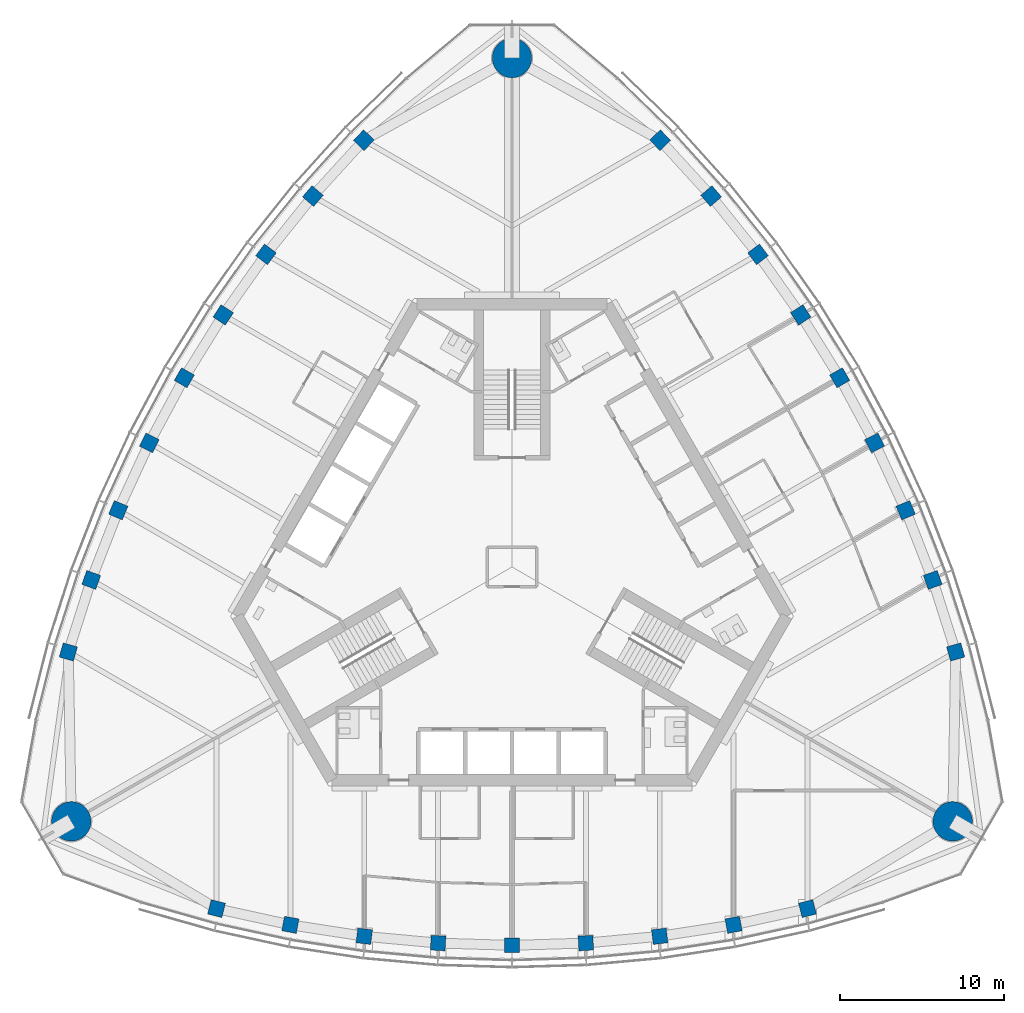
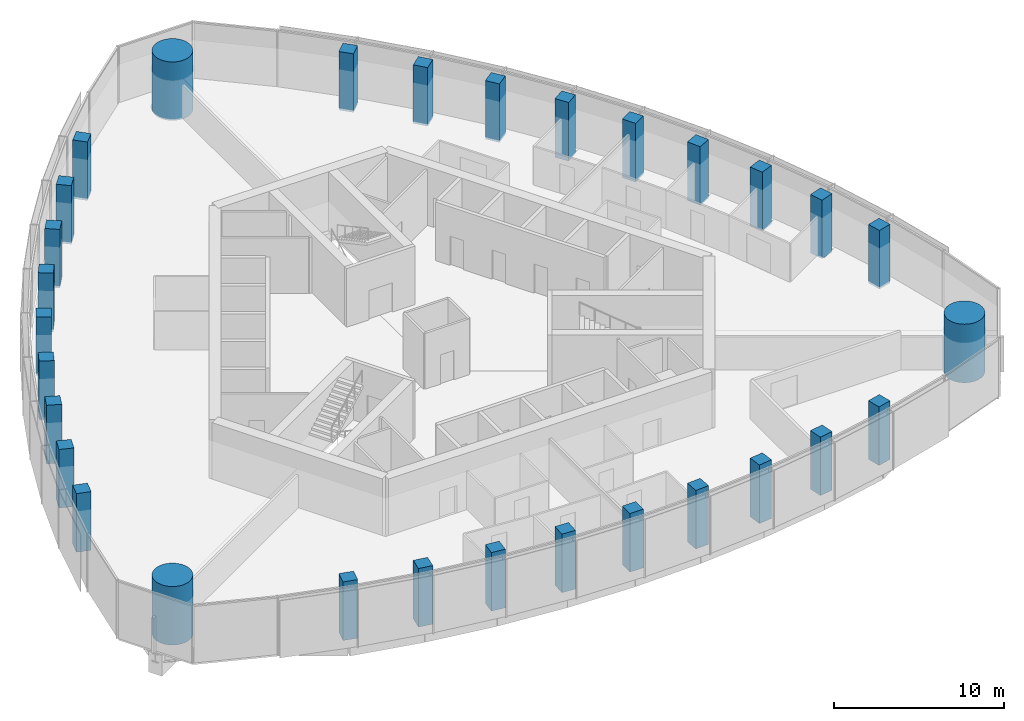
# One storey, part 1 of 16: 30 columns.
"""IFC4 building model written with IfcOpenShell, lengths in metres."""

from ifc_helpers import new_model, si_unit, direction, frame, origin, origin_2d, place, context, subcontext, project, spatial, rectangle, circle, extrude, material, material_profile, profile_set, type_object, element, save


model = new_model("IFC4")

# Units and contexts
model_context = context("Model", 3, precision=1e-05, world=origin(), true_north=direction((0.0, 1.0)))
body_context = subcontext(model_context, "Body", "Model", "MODEL_VIEW")
ifc_project = project(units=[si_unit("LENGTHUNIT", "METRE"), si_unit("AREAUNIT", "SQUARE_METRE"), si_unit("VOLUMEUNIT", "CUBIC_METRE"), si_unit("PLANEANGLEUNIT", "RADIAN"), si_unit("MASSUNIT", "GRAM", prefix="KILO")], contexts=[model_context])

# Site, building, storey
site_placement = place(None, origin())
site = spatial("IfcSite", under=ifc_project, at=site_placement, CompositionType="ELEMENT")
building_placement = place(site_placement, origin())
building = spatial("IfcBuilding", under=site, at=building_placement, Name="Trefoil Bronze Tower", CompositionType="ELEMENT")
storey_placement = place(building_placement, frame((0.0, 0.0, 297.300048828125)))
storey = spatial("IfcBuildingStorey", under=building, at=storey_placement, Name="L68", CompositionType="ELEMENT", Elevation=297.300048828125)

# Columns
ifc_material_1 = material(Name="Concrete B80", Category="concrete")
ifc_material_profile_1 = material_profile(ifc_material_1, circle(Radius=1.199951171875, at=origin_2d()), Name="RC D2400")
ifc_profile_set_1 = profile_set([ifc_material_profile_1], Name="Concrete B80")
column_type_1 = type_object("IfcColumnType", Name="Mega column RC D2400", PredefinedType="COLUMN", material=ifc_profile_set_1)
for number, where, z_axis, x_axis, name in (
    (1, (26.8466796875, -15.5, 0.0), (0.0, 0.0, 1.0), (1.0, 0.0, 0.0), "Mega column K1 L68"),
    (2, (0.0, 31.0, 0.0), (0.0, 0.0, 1.0), (1.0, 0.0, 0.0), "Mega column K2 L68"),
    (3, (-26.8466796875, -15.5, 0.0), (0.0, 0.0, 1.0), (1.0, 0.0, 0.0), "Mega column K3 L68"),
):
    element("IfcColumn", number, at=place(storey_placement, frame(where, z_axis=z_axis, x_axis=x_axis)), inside=storey, type_object=column_type_1, Name=name, PredefinedType="COLUMN", context=body_context, shape_type="SweptSolid", body=[
        extrude(circle(Radius=1.199951171875, at=origin_2d()), origin(), (0.0, 0.0, 1.0), 4.199951171875),
    ])
ifc_material_2 = material(Name="Concrete B80", Category="concrete")
ifc_material_profile_2 = material_profile(ifc_material_2, rectangle(XDim=0.89990234375, YDim=0.89990234375, at=origin_2d()), Name="RC 900x900")
ifc_profile_set_2 = profile_set([ifc_material_profile_2], Name="Concrete B80")
column_type_2 = type_object("IfcColumnType", Name="Tube column RC 900x900", PredefinedType="COLUMN", material=ifc_profile_set_2)
for number, where, z_axis, x_axis, name in (
    (4, (-18.0, -20.816162109375, 0.0), (0.0, 0.0, 1.0), (0.97017777199, -0.242394494031, 0.0), "Tube column F1/-4 L68"),
    (5, (-13.5, -21.802734375, 0.0), (0.0, 0.0, 1.0), (0.983360067227, -0.181667218242, 0.0), "Tube column F1/-3 L68"),
    (6, (-9.0, -22.499267578125, 0.0), (0.0, 0.0, 1.0), (0.992639174109, -0.121109330868, 0.0), "Tube column F1/-2 L68"),
    (7, (-4.5, -22.913818359375, 0.0), (0.0, 0.0, 1.0), (0.998164920349, -0.060554040199, 0.0), "Tube column F1/-1 L68"),
    (8, (0.0, -23.051513671875, 0.0), (0.0, 0.0, 1.0), (1.0, 0.0, 0.0), "Tube column F1/+0 L68"),
    (9, (4.5, -22.913818359375, 0.0), (0.0, 0.0, 1.0), (0.998164920349, 0.060554040199, 0.0), "Tube column F1/+1 L68"),
    (10, (9.0, -22.499267578125, 0.0), (0.0, 0.0, 1.0), (0.992639174109, 0.121109330868, 0.0), "Tube column F1/+2 L68"),
    (11, (13.5, -21.802734375, 0.0), (0.0, 0.0, 1.0), (0.983360067227, 0.181667218242, 0.0), "Tube column F1/+3 L68"),
    (12, (18.0, -20.816162109375, 0.0), (0.0, 0.0, 1.0), (0.97017777199, 0.242394494031, 0.0), "Tube column F1/+4 L68"),
    (13, (27.02734375, -5.180419921875, 0.0), (0.0, 0.0, 1.0), (-0.275169096426, 0.961395843746, 0.0), "Tube column F2/-4 L68"),
    (14, (25.631591796875, -0.7900390625, 0.0), (0.0, 0.0, 1.0), (-0.334351607581, 0.942448408407, 0.0), "Tube column F2/-3 L68"),
    (15, (23.98486328125, 3.455322265625, 0.0), (0.0, 0.0, 1.0), (-0.391435829888, 0.920205407004, 0.0), "Tube column F2/-2 L68"),
    (16, (22.093994140625, 7.559814453125, 0.0), (0.0, 0.0, 1.0), (-0.44664112306, 0.894713198289, 0.0), "Tube column F2/-1 L68"),
    (17, (19.96337890625, 11.52587890625, 0.0), (0.0, 0.0, 1.0), (-0.5, 0.866025403784, 0.0), "Tube column F2/+0 L68"),
    (18, (17.593994140625, 15.35400390625, 0.0), (0.0, 0.0, 1.0), (-0.551523797289, 0.834159158089, 0.0), "Tube column F2/+1 L68"),
    (19, (14.98486328125, 19.043701171875, 0.0), (0.0, 0.0, 1.0), (-0.601203344222, 0.799096076136, 0.0), "Tube column F2/+2 L68"),
    (20, (12.131591796875, 22.5927734375, 0.0), (0.0, 0.0, 1.0), (-0.649008459646, 0.760781190165, 0.0), "Tube column F2/+3 L68"),
    (21, (9.02734375, 25.99658203125, 0.0), (0.0, 0.0, 1.0), (-0.695008675564, 0.719001349715, 0.0), "Tube column F2/+4 L68"),
    (22, (-9.02734375, 25.99658203125, 0.0), (0.0, 0.0, 1.0), (-0.695008675564, -0.719001349715, 0.0), "Tube column F3/-4 L68"),
    (23, (-12.131591796875, 22.5927734375, 0.0), (0.0, 0.0, 1.0), (-0.649008459646, -0.760781190165, 0.0), "Tube column F3/-3 L68"),
    (24, (-14.98486328125, 19.043701171875, 0.0), (0.0, 0.0, 1.0), (-0.601203344222, -0.799096076136, 0.0), "Tube column F3/-2 L68"),
    (25, (-17.593994140625, 15.35400390625, 0.0), (0.0, 0.0, 1.0), (-0.551523797289, -0.834159158089, 0.0), "Tube column F3/-1 L68"),
    (26, (-19.96337890625, 11.52587890625, 0.0), (0.0, 0.0, 1.0), (-0.5, -0.866025403784, 0.0), "Tube column F3/+0 L68"),
    (27, (-22.093994140625, 7.559814453125, 0.0), (0.0, 0.0, 1.0), (-0.44664112306, -0.894713198289, 0.0), "Tube column F3/+1 L68"),
    (28, (-23.98486328125, 3.455322265625, 0.0), (0.0, 0.0, 1.0), (-0.391435829888, -0.920205407004, 0.0), "Tube column F3/+2 L68"),
    (29, (-25.631591796875, -0.7900390625, 0.0), (0.0, 0.0, 1.0), (-0.334351607581, -0.942448408407, 0.0), "Tube column F3/+3 L68"),
    (30, (-27.02734375, -5.180419921875, 0.0), (0.0, 0.0, 1.0), (-0.275169096426, -0.961395843746, 0.0), "Tube column F3/+4 L68"),
):
    element("IfcColumn", number, at=place(storey_placement, frame(where, z_axis=z_axis, x_axis=x_axis)), inside=storey, type_object=column_type_2, Name=name, PredefinedType="COLUMN", context=body_context, shape_type="SweptSolid", body=[
        extrude(rectangle(XDim=0.89990234375, YDim=0.89990234375, at=origin_2d()), origin(), (0.0, 0.0, 1.0), 4.199951171875),
    ])

save(model, "model.ifc")
